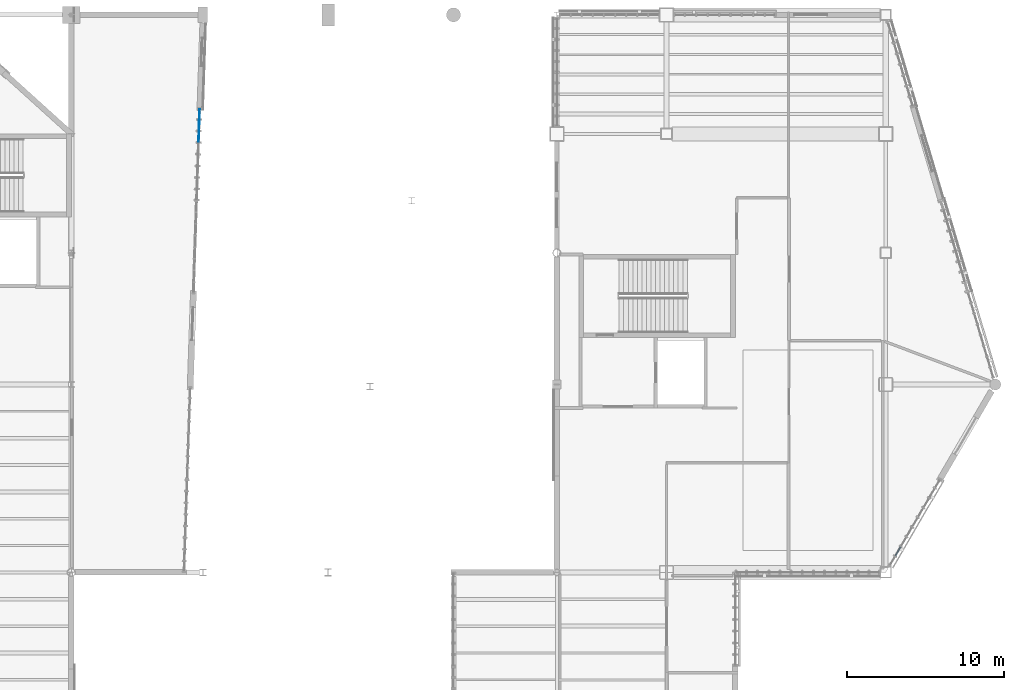
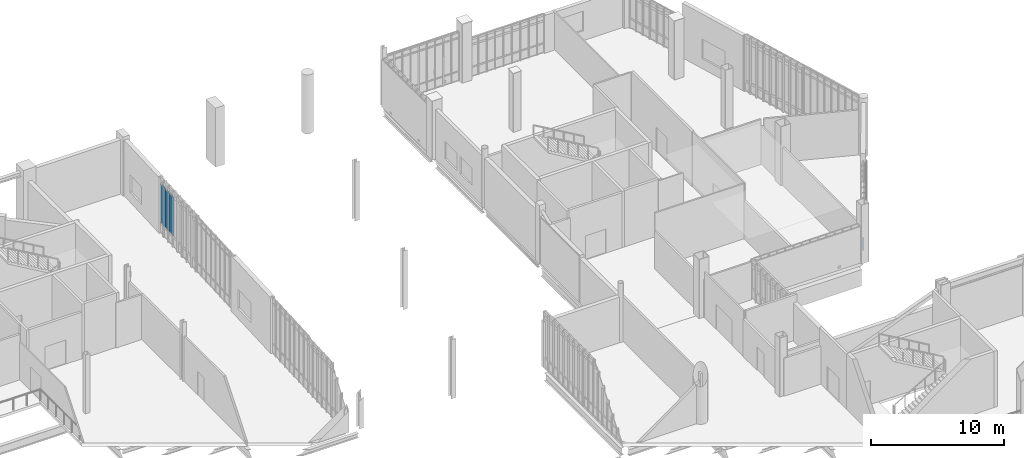
# One storey, part 80 of 127: 4 plates, 2 elements without a shape of their own.
"""IFC4 building model written with IfcOpenShell, lengths in metres."""

from ifc_helpers import new_model, si_unit, direction, frame, origin, origin_2d, place, context, subcontext, project, spatial, rectangle, extrude, material, layer, layer_set, type_object, element, aggregate, save


model = new_model("IFC4")

# Units and contexts
model_context = context("Model", 3, precision=1e-05, world=origin(), true_north=direction((0.0, 1.0)))
body_context = subcontext(model_context, "Body", "Model", "MODEL_VIEW")
ifc_project = project(units=[si_unit("LENGTHUNIT", "METRE"), si_unit("AREAUNIT", "SQUARE_METRE"), si_unit("VOLUMEUNIT", "CUBIC_METRE"), si_unit("PLANEANGLEUNIT", "RADIAN"), si_unit("MASSUNIT", "GRAM", prefix="KILO")], contexts=[model_context])

# Site, building, storey
site_placement = place(None, origin())
site = spatial("IfcSite", under=ifc_project, at=site_placement, CompositionType="ELEMENT")
building_placement = place(site_placement, origin())
building = spatial("IfcBuilding", under=site, at=building_placement, Name="Larkvane Passage Sports Hall", CompositionType="ELEMENT")
storey_placement = place(building_placement, frame((0.0, 0.0, 5.39990234375)))
storey = spatial("IfcBuildingStorey", under=building, at=storey_placement, Name="L01", CompositionType="ELEMENT", Elevation=5.39990234375)

# Curtain wall, plate
ifc_material_1 = material(Name="Thermally broken aluminium and low-E glazing", Category="aluminium")
curtain_wall_type_1 = type_object("IfcCurtainWallType", Name="CW-UNIT-VEIL", PredefinedType="USERDEFINED", material=ifc_material_1)
curtain_wall_1_placement = place(storey_placement, origin())
curtain_wall_1 = element("IfcCurtainWall", 1, at=curtain_wall_1_placement, inside=storey, type_object=curtain_wall_type_1, Name="Curtain wall CW5-L01-057", ObjectType="UNITISED CURTAIN WALL", PredefinedType="USERDEFINED")
ifc_material_2 = material(Name="Mineral-wool insulated spandrel cassette")
ifc_layer_1 = layer(ifc_material_2, 0.0849609375)
ifc_layer_set_1 = layer_set([ifc_layer_1], Name="Mineral-wool insulated spandrel cassette")
plate_type_1 = type_object("IfcPlateType", Name="CWP-SPD-85", PredefinedType="CURTAIN_PANEL", material=ifc_layer_set_1)
plate_1_placement = place(storey_placement, frame((146.382568359375, 64.941650390625, 0.0751953125), z_axis=(0.0, 0.0, 1.0), x_axis=(-0.503867182467, -0.86378114267, 0.0)))
plate_1 = element("IfcPlate", 2, at=plate_1_placement, type_object=plate_type_1, Name="CW-02 panel 8.1", PredefinedType="CURTAIN_PANEL", context=body_context, shape_type="SweptSolid", body=[
    extrude(rectangle(XDim=0.64404296875, YDim=0.0849609375, at=origin_2d()), origin(), (0.0, 0.0, 1.0), 0.737548828125),
])
aggregate(curtain_wall_1, [plate_1])

# Curtain wall, plates
curtain_wall_type_2 = type_object("IfcCurtainWallType", Name="CW-CLINIC", PredefinedType="USERDEFINED", material=ifc_material_1)
curtain_wall_2_placement = place(storey_placement, origin())
curtain_wall_2 = element("IfcCurtainWall", 3, at=curtain_wall_2_placement, inside=storey, type_object=curtain_wall_type_2, Name="Curtain wall CW5-L01-043", ObjectType="UNITISED CURTAIN WALL", PredefinedType="USERDEFINED")
ifc_material_3 = material(Name="Triple-laminated typhoon glazing", Category="glass")
ifc_layer_2 = layer(ifc_material_3, 0.0419921875)
ifc_layer_set_2 = layer_set([ifc_layer_2], Name="Triple-laminated typhoon glazing")
plate_type_2 = type_object("IfcPlateType", Name="CWP-VIS-42", PredefinedType="CURTAIN_PANEL", material=ifc_layer_set_2)
plate_2_placement = place(storey_placement, frame((101.78662109375, 92.870849609375, 0.900146484375), z_axis=(0.0, 0.0, 1.0), x_axis=(-0.033688353605, -0.999432386323, 0.0)))
plate_2 = element("IfcPlate", 4, at=plate_2_placement, type_object=plate_type_2, Name="CW-05 panel 1.2", PredefinedType="CURTAIN_PANEL", context=body_context, shape_type="SweptSolid", body=[
    extrude(rectangle(XDim=0.592041015625, YDim=0.0419921875, at=origin_2d()), origin(), (0.0, 0.0, 1.0), 3.60009765625),
])
plate_3_placement = place(storey_placement, frame((101.762451171875, 92.154296875, 0.900146484375), z_axis=(0.0, 0.0, 1.0), x_axis=(-0.033688353605, -0.999432386323, 0.0)))
plate_3 = element("IfcPlate", 5, at=plate_3_placement, type_object=plate_type_2, Name="CW-05 panel 2.2", PredefinedType="CURTAIN_PANEL", context=body_context, shape_type="SweptSolid", body=[
    extrude(rectangle(XDim=0.64208984375, YDim=0.0419921875, at=origin_2d()), origin(), (0.0, 0.0, 1.0), 3.60009765625),
])
plate_4_placement = place(storey_placement, frame((101.737548828125, 91.41259765625, 0.900146484375), z_axis=(0.0, 0.0, 1.0), x_axis=(-0.033688353605, -0.999432386323, 0.0)))
plate_4 = element("IfcPlate", 6, at=plate_4_placement, type_object=plate_type_2, Name="CW-05 panel 3.2", PredefinedType="CURTAIN_PANEL", context=body_context, shape_type="SweptSolid", body=[
    extrude(rectangle(XDim=0.64208984375, YDim=0.0419921875, at=origin_2d()), origin(), (0.0, 0.0, 1.0), 3.60009765625),
])
aggregate(curtain_wall_2, [plate_2, plate_3, plate_4])

save(model, "model.ifc")
